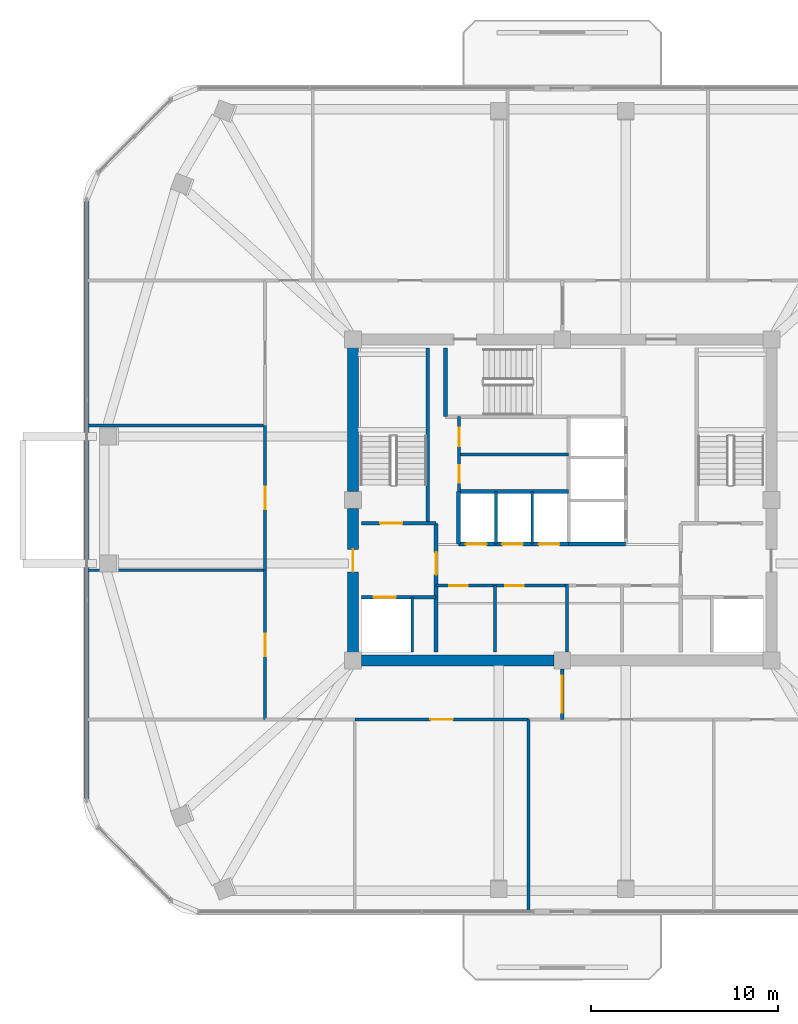
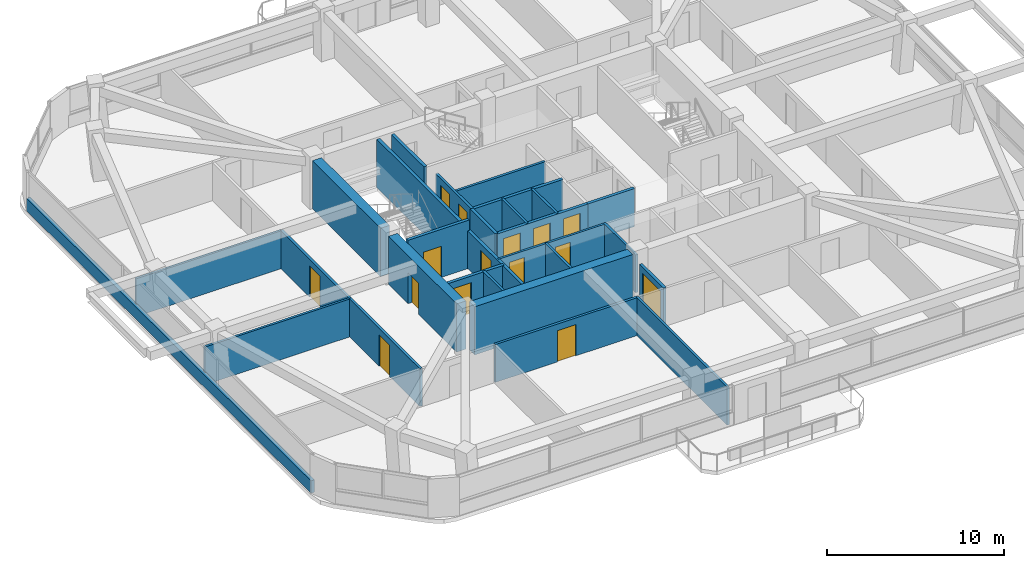
# One storey, part 8 of 12: 28 walls, 15 doors, 15 openings.
"""IFC4 building model written with IfcOpenShell, lengths in metres."""

from ifc_helpers import new_model, si_unit, derived_unit, direction, frame, frame_2d, origin, place, context, subcontext, project, spatial, rectangle, extrude, material, layer, layer_set, type_object, element, fill, save


model = new_model("IFC4")

# Units and contexts
model_context = context("Model", 3, precision=1e-05, world=origin(), true_north=direction((0.0, 1.0)))
body_context = subcontext(model_context, "Body", "Model", "MODEL_VIEW")
ifc_project = project(units=[si_unit("LENGTHUNIT", "METRE"), si_unit("AREAUNIT", "SQUARE_METRE"), si_unit("VOLUMEUNIT", "CUBIC_METRE"), si_unit("PLANEANGLEUNIT", "RADIAN"), si_unit("MASSUNIT", "GRAM", prefix="KILO"), derived_unit("THERMALTRANSMITTANCEUNIT", [(si_unit("POWERUNIT", "WATT"), 1), (si_unit("LENGTHUNIT", "METRE"), -2), (si_unit("THERMODYNAMICTEMPERATUREUNIT", "KELVIN"), -1)])], contexts=[model_context])

# Site, building, storey
site_placement = place(None, origin())
site = spatial("IfcSite", under=ifc_project, at=site_placement, CompositionType="ELEMENT")
building_placement = place(site_placement, origin())
building = spatial("IfcBuilding", under=site, at=building_placement, Name="Koralith Skygarden Medical Center", CompositionType="ELEMENT")
storey_placement = place(building_placement, frame((0.0, 0.0, 203.580078125)))
storey = spatial("IfcBuildingStorey", under=building, at=storey_placement, Name="L52", CompositionType="ELEMENT", Elevation=203.580078125)

# Wall, openings, doors
ifc_material_1 = material(Name="Gypsum Board Partition")
ifc_layer_1 = layer(ifc_material_1, 0.14990234375)
ifc_layer_set_1 = layer_set([ifc_layer_1], Name="Gypsum Board Partition")
wall_type_1 = type_object("IfcWallType", Name="Clinical Acoustic Partition 150", PredefinedType="PARTITIONING", material=ifc_layer_set_1)
wall_1_placement = place(storey_placement, frame((30.25, 21.320068359375, 0.0), z_axis=(0.0, 0.0, 1.0), x_axis=(1.0, 0.0, 0.0)))
wall_1 = element("IfcWall", 1, at=wall_1_placement, inside=storey, type_object=wall_type_1, Name="L52 Clinical Acoustic Partition 150 W-CORE-L52-FREED-LR-N", PredefinedType="PARTITIONING", context=body_context, shape_type="SweptSolid", body=[
    extrude(rectangle(XDim=7.0, YDim=0.14990234375, at=frame_2d((3.5, 0.0))), origin(), (0.0, 0.0, 1.0), 2.60986328125),
])
opening_1_placement = place(wall_1_placement, frame((0.699951171875, 0.0, 0.0)))
opening_1 = element("IfcOpeningElement", 2, at=opening_1_placement, cuts=wall_1, Name="Opening D-SUP", PredefinedType="OPENING", context=body_context, shape_type="SweptSolid", body=[
    extrude(rectangle(XDim=1.0, YDim=2.14990234375, at=frame_2d((0.5, 1.074951171875))), frame((0.0, 0.0849609375, 0.0), z_axis=(0.0, -1.0, 0.0), x_axis=(1.0, 0.0, 0.0)), (0.0, 0.0, 1.0), 0.169921875),
])
opening_2_placement = place(wall_1_placement, frame((3.699951171875, 0.0, 0.0)))
opening_2 = element("IfcOpeningElement", 3, at=opening_2_placement, cuts=wall_1, Name="Opening D-SUP", PredefinedType="OPENING", context=body_context, shape_type="SweptSolid", body=[
    extrude(rectangle(XDim=1.0, YDim=2.14990234375, at=frame_2d((0.5, 1.074951171875))), frame((0.0, 0.0849609375, 0.0), z_axis=(0.0, -1.0, 0.0), x_axis=(1.0, 0.0, 0.0)), (0.0, 0.0, 1.0), 0.169921875),
])
ifc_material_2 = material(Name="Aluminium 6063-T6", Category="aluminium")
door_type_1 = type_object("IfcDoorType", Name="Clinical Support Door D-SUP 1000", OperationType="NOTDEFINED", PredefinedType="DOOR", material=ifc_material_2)
door_1_placement = place(opening_1_placement, frame((1.0, 0.0, 0.0), z_axis=(0.0, 0.0, 1.0), x_axis=(-1.0, 0.0, 0.0)))
door_1 = element("IfcDoor", 4, at=door_1_placement, inside=storey, type_object=door_type_1, Name="L52 Medication Preparation Door", OperationType="SINGLE_SWING_LEFT", OverallHeight=2.14990234375, OverallWidth=1.0, PredefinedType="DOOR", context=body_context, shape_type="SweptSolid", body=[
    extrude(rectangle(XDim=1.0, YDim=2.14990234375, at=frame_2d((0.5, 1.074951171875))), frame((0.0, 0.02490234375, 0.0), z_axis=(0.0, -1.0, 0.0), x_axis=(1.0, 0.0, 0.0)), (0.0, 0.0, 1.0), 0.050048828125),
])
fill(opening_1, door_1)
door_2_placement = place(opening_2_placement, frame((1.0, 0.0, 0.0), z_axis=(0.0, 0.0, 1.0), x_axis=(-1.0, 0.0, 0.0)))
door_2 = element("IfcDoor", 5, at=door_2_placement, inside=storey, type_object=door_type_1, Name="L52 Telemetry Room Door", OperationType="SINGLE_SWING_RIGHT", OverallHeight=2.14990234375, OverallWidth=1.0, PredefinedType="DOOR", context=body_context, shape_type="SweptSolid", body=[
    extrude(rectangle(XDim=1.0, YDim=2.14990234375, at=frame_2d((0.5, 1.074951171875))), frame((0.0, 0.02490234375, 0.0), z_axis=(0.0, -1.0, 0.0), x_axis=(1.0, 0.0, 0.0)), (0.0, 0.0, 1.0), 0.050048828125),
])
fill(opening_2, door_2)

# Walls
wall_2_placement = place(storey_placement, frame((33.39990234375, 17.75, 0.0), z_axis=(0.0, 0.0, 1.0), x_axis=(0.0, 1.0, 0.0)))
element("IfcWall", 6, at=wall_2_placement, inside=storey, type_object=wall_type_1, Name="L52 Clinical Acoustic Partition 150 W-CORE-L52-FREED-LR-M", PredefinedType="PARTITIONING", context=body_context, shape_type="SweptSolid", body=[
    extrude(rectangle(XDim=3.570068359375, YDim=0.14990234375, at=frame_2d((1.78515625, 0.0))), origin(), (0.0, 0.0, 1.0), 2.60986328125),
])
wall_3_placement = place(storey_placement, frame((35.199951171875, 14.14990234375, 0.0), z_axis=(0.0, 0.0, 1.0), x_axis=(0.0, -1.0, 0.0)))
element("IfcWall", 7, at=wall_3_placement, inside=storey, type_object=wall_type_1, Name="L52 Clinical Acoustic Partition 150 W-PART-L52-S-02", PredefinedType="PARTITIONING", context=body_context, shape_type="SweptSolid", body=[
    extrude(rectangle(XDim=10.27197265625, YDim=0.14990234375, at=frame_2d((5.135986328125, 0.0))), origin(), (0.0, 0.0, 1.0), 2.60986328125),
])
for number, where, z_axis, x_axis, name in (
    (8, (21.10009765625, 22.139892578125, 0.0), (0.0, 0.0, 1.0), (-1.0, 0.0, 0.0), "L52 Clinical Acoustic Partition 150 W-PART-L52-W-01"),
    (9, (21.10009765625, 29.89501953125, 0.0), (0.0, 0.0, 1.0), (-1.0, 0.0, 0.0), "L52 Clinical Acoustic Partition 150 W-PART-L52-W-02"),
):
    element("IfcWall", number, at=place(storey_placement, frame(where, z_axis=z_axis, x_axis=x_axis)), inside=storey, type_object=wall_type_1, Name=name, PredefinedType="PARTITIONING", context=body_context, shape_type="SweptSolid", body=[
        extrude(rectangle(XDim=9.531005859375, YDim=0.14990234375, at=frame_2d((4.765625, 0.0))), origin(), (0.0, 0.0, 1.0), 2.60986328125),
    ])

# Wall, opening, door
ifc_layer_2 = layer(ifc_material_1, 0.1650390625)
ifc_layer_set_2 = layer_set([ifc_layer_2], Name="Gypsum Board Partition")
wall_type_2 = type_object("IfcWallType", Name="Clinical Corridor Partition 165", PredefinedType="PARTITIONING", material=ifc_layer_set_2)
wall_4_placement = place(storey_placement, frame((25.89794921875, 14.14990234375, 0.0), z_axis=(0.0, 0.0, 1.0), x_axis=(1.0, 0.0, 0.0)))
wall_4 = element("IfcWall", 10, at=wall_4_placement, inside=storey, type_object=wall_type_2, Name="L52 Clinical Corridor Partition 165 W-CORR-L52-S-02", PredefinedType="PARTITIONING", context=body_context, shape_type="SweptSolid", body=[
    extrude(rectangle(XDim=9.302001953125, YDim=0.1650390625, at=frame_2d((4.65087890625, 0.0))), origin(), (0.0, 0.0, 1.0), 2.60986328125),
])
opening_3_placement = place(wall_4_placement, frame((4.051025390625, 0.0, 0.0)))
opening_3 = element("IfcOpeningElement", 11, at=opening_3_placement, cuts=wall_4, Name="Opening D-CLN", PredefinedType="OPENING", context=body_context, shape_type="SweptSolid", body=[
    extrude(rectangle(XDim=1.199951171875, YDim=2.14990234375, at=frame_2d((0.60009765625, 1.074951171875))), frame((0.0, 0.092529296875, 0.0), z_axis=(0.0, -1.0, 0.0), x_axis=(1.0, 0.0, 0.0)), (0.0, 0.0, 1.0), 0.18505859375),
])
door_type_2 = type_object("IfcDoorType", Name="Clinical Corridor Door D-CLN 1200", OperationType="NOTDEFINED", PredefinedType="DOOR", material=ifc_material_2)
door_3_placement = place(opening_3_placement, frame((1.199951171875, 0.0, 0.0), z_axis=(0.0, 0.0, 1.0), x_axis=(-1.0, 0.0, 0.0)))
door_3 = element("IfcDoor", 12, at=door_3_placement, inside=storey, type_object=door_type_2, Name="L52 Pacemaker Interrogation Exam Room 07 Door", OperationType="SINGLE_SWING_RIGHT", OverallHeight=2.14990234375, OverallWidth=1.199951171875, PredefinedType="DOOR", context=body_context, shape_type="SweptSolid", body=[
    extrude(rectangle(XDim=1.199951171875, YDim=2.14990234375, at=frame_2d((0.60009765625, 1.074951171875))), frame((0.0, 0.02490234375, 0.0), z_axis=(0.0, -1.0, 0.0), x_axis=(1.0, 0.0, 0.0)), (0.0, 0.0, 1.0), 0.050048828125),
])
fill(opening_3, door_3)

wall_5_placement = place(storey_placement, frame((21.10009765625, 14.14990234375, 0.0), z_axis=(0.0, 0.0, 1.0), x_axis=(0.0, 1.0, 0.0)))
wall_5 = element("IfcWall", 13, at=wall_5_placement, inside=storey, type_object=wall_type_2, Name="L52 Clinical Corridor Partition 165 W-CORR-L52-W-01", PredefinedType="PARTITIONING", context=body_context, shape_type="SweptSolid", body=[
    extrude(rectangle(XDim=7.989990234375, YDim=0.1650390625, at=frame_2d((3.9951171875, 0.0))), origin(), (0.0, 0.0, 1.0), 2.60986328125),
])
opening_4_placement = place(wall_5_placement, frame((3.39501953125, 0.0, 0.0)))
opening_4 = element("IfcOpeningElement", 14, at=opening_4_placement, cuts=wall_5, Name="Opening D-CLN", PredefinedType="OPENING", context=body_context, shape_type="SweptSolid", body=[
    extrude(rectangle(XDim=1.199951171875, YDim=2.14990234375, at=frame_2d((0.60009765625, 1.074951171875))), frame((0.0, 0.092529296875, 0.0), z_axis=(0.0, -1.0, 0.0), x_axis=(1.0, 0.0, 0.0)), (0.0, 0.0, 1.0), 0.18505859375),
])
door_4_placement = place(opening_4_placement, frame((1.199951171875, 0.0, 0.0), z_axis=(0.0, 0.0, 1.0), x_axis=(-1.0, 0.0, 0.0)))
door_4 = element("IfcDoor", 15, at=door_4_placement, inside=storey, type_object=door_type_2, Name="L52 Cardiology Fellows Office 11 Door", OperationType="SINGLE_SWING_RIGHT", OverallHeight=2.14990234375, OverallWidth=1.199951171875, PredefinedType="DOOR", context=body_context, shape_type="SweptSolid", body=[
    extrude(rectangle(XDim=1.199951171875, YDim=2.14990234375, at=frame_2d((0.60009765625, 1.074951171875))), frame((0.0, 0.02490234375, 0.0), z_axis=(0.0, -1.0, 0.0), x_axis=(1.0, 0.0, 0.0)), (0.0, 0.0, 1.0), 0.050048828125),
])
fill(opening_4, door_4)

wall_6_placement = place(storey_placement, frame((21.10009765625, 22.139892578125, 0.0), z_axis=(0.0, 0.0, 1.0), x_axis=(0.0, 1.0, 0.0)))
wall_6 = element("IfcWall", 16, at=wall_6_placement, inside=storey, type_object=wall_type_2, Name="L52 Clinical Corridor Partition 165 W-CORR-L52-W-02", PredefinedType="PARTITIONING", context=body_context, shape_type="SweptSolid", body=[
    extrude(rectangle(XDim=7.755126953125, YDim=0.1650390625, at=frame_2d((3.87744140625, 0.0))), origin(), (0.0, 0.0, 1.0), 2.60986328125),
])
opening_5_placement = place(wall_6_placement, frame((3.277099609375, 0.0, 0.0)))
opening_5 = element("IfcOpeningElement", 17, at=opening_5_placement, cuts=wall_6, Name="Opening D-CLN", PredefinedType="OPENING", context=body_context, shape_type="SweptSolid", body=[
    extrude(rectangle(XDim=1.199951171875, YDim=2.14990234375, at=frame_2d((0.60009765625, 1.074951171875))), frame((0.0, 0.092529296875, 0.0), z_axis=(0.0, -1.0, 0.0), x_axis=(1.0, 0.0, 0.0)), (0.0, 0.0, 1.0), 0.18505859375),
])
door_5_placement = place(opening_5_placement, frame((1.199951171875, 0.0, 0.0), z_axis=(0.0, 0.0, 1.0), x_axis=(-1.0, 0.0, 0.0)))
door_5 = element("IfcDoor", 18, at=door_5_placement, inside=storey, type_object=door_type_2, Name="L52 Pacemaker Interrogation Exam Room 12 Door", OperationType="SINGLE_SWING_LEFT", OverallHeight=2.14990234375, OverallWidth=1.199951171875, PredefinedType="DOOR", context=body_context, shape_type="SweptSolid", body=[
    extrude(rectangle(XDim=1.199951171875, YDim=2.14990234375, at=frame_2d((0.60009765625, 1.074951171875))), frame((0.0, 0.02490234375, 0.0), z_axis=(0.0, -1.0, 0.0), x_axis=(1.0, 0.0, 0.0)), (0.0, 0.0, 1.0), 0.050048828125),
])
fill(opening_5, door_5)

ifc_layer_3 = layer(ifc_material_1, 0.199951171875)
ifc_layer_set_3 = layer_set([ifc_layer_3], Name="Gypsum Board Partition")
wall_type_3 = type_object("IfcWallType", Name="Fire Shaft Wall 200", PredefinedType="SOLIDWALL", material=ifc_layer_set_3)
wall_7_placement = place(storey_placement, frame((26.25, 20.699951171875, 0.0), z_axis=(0.0, 0.0, 1.0), x_axis=(1.0, 0.0, 0.0)))
wall_7 = element("IfcWall", 19, at=wall_7_placement, inside=storey, type_object=wall_type_3, Name="L52 Fire Shaft Wall 200 W-CORE-L52-FF1-N", PredefinedType="SOLIDWALL", context=body_context, shape_type="SweptSolid", body=[
    extrude(rectangle(XDim=4.0, YDim=0.199951171875, at=frame_2d((2.0, 0.0))), origin(), (0.0, 0.0, 1.0), 2.60986328125),
])
opening_6_placement = place(wall_7_placement, frame((0.64990234375, 0.0, 0.0)))
opening_6 = element("IfcOpeningElement", 20, at=opening_6_placement, cuts=wall_7, Name="Opening LD-FF", PredefinedType="OPENING", context=body_context, shape_type="SweptSolid", body=[
    extrude(rectangle(XDim=1.199951171875, YDim=2.14990234375, at=frame_2d((0.60009765625, 1.074951171875))), frame((0.0, 0.10986328125, 0.0), z_axis=(0.0, -1.0, 0.0), x_axis=(1.0, 0.0, 0.0)), (0.0, 0.0, 1.0), 0.219970703125),
])
ifc_material_3 = material(Name="Steel ASTM A500 Grade C", Category="steel")
door_type_3 = type_object("IfcDoorType", Name="Fire Lift Sliding Landing Door LD-FF 1200", OperationType="NOTDEFINED", PredefinedType="DOOR", material=ifc_material_3)
door_6_placement = place(opening_6_placement, origin())
door_6 = element("IfcDoor", 21, at=door_6_placement, inside=storey, type_object=door_type_3, Name="L52 Fire Service Elevator FF1 Landing Door", OperationType="SLIDING_TO_LEFT", OverallHeight=2.14990234375, OverallWidth=1.199951171875, PredefinedType="DOOR", context=body_context, shape_type="SweptSolid", body=[
    extrude(rectangle(XDim=1.199951171875, YDim=2.14990234375, at=frame_2d((0.60009765625, 1.074951171875))), frame((0.0, 0.02490234375, 0.0), z_axis=(0.0, -1.0, 0.0), x_axis=(1.0, 0.0, 0.0)), (0.0, 0.0, 1.0), 0.050048828125),
])
fill(opening_6, door_6)

wall_8_placement = place(storey_placement, frame((30.25, 17.75, 0.0), z_axis=(0.0, 0.0, 1.0), x_axis=(0.0, 1.0, 0.0)))
wall_8 = element("IfcWall", 22, at=wall_8_placement, inside=storey, type_object=wall_type_3, Name="L52 Fire Shaft Wall 200 W-CORE-L52-FSAEW-E", PredefinedType="SOLIDWALL", context=body_context, shape_type="SweptSolid", body=[
    extrude(rectangle(XDim=6.89990234375, YDim=0.199951171875, at=frame_2d((3.449951171875, 0.0))), origin(), (0.0, 0.0, 1.0), 2.60986328125),
])
opening_7_placement = place(wall_8_placement, frame((4.14990234375, 0.0, 0.0)))
opening_7 = element("IfcOpeningElement", 23, at=opening_7_placement, cuts=wall_8, Name="Opening D-ST60", PredefinedType="OPENING", context=body_context, shape_type="SweptSolid", body=[
    extrude(rectangle(XDim=1.199951171875, YDim=2.14990234375, at=frame_2d((0.60009765625, 1.074951171875))), frame((0.0, 0.10986328125, 0.0), z_axis=(0.0, -1.0, 0.0), x_axis=(1.0, 0.0, 0.0)), (0.0, 0.0, 1.0), 0.219970703125),
])
door_type_4 = type_object("IfcDoorType", Name="Smokeproof Stair Fire Door FD60S 1200", OperationType="NOTDEFINED", PredefinedType="DOOR", material=ifc_material_3)
door_7_placement = place(opening_7_placement, origin())
door_7 = element("IfcDoor", 24, at=door_7_placement, inside=storey, type_object=door_type_4, Name="L52 West Firefighting Lobby Inner Fire Door", OperationType="SINGLE_SWING_LEFT", OverallHeight=2.14990234375, OverallWidth=1.199951171875, PredefinedType="DOOR", context=body_context, shape_type="SweptSolid", body=[
    extrude(rectangle(XDim=1.199951171875, YDim=2.14990234375, at=frame_2d((0.60009765625, 1.074951171875))), frame((0.0, 0.02490234375, 0.0), z_axis=(0.0, -1.0, 0.0), x_axis=(1.0, 0.0, 0.0)), (0.0, 0.0, 1.0), 0.050048828125),
])
fill(opening_7, door_7)

# Wall, openings, doors
wall_9_placement = place(storey_placement, frame((31.449951171875, 23.5400390625, 0.0), z_axis=(0.0, 0.0, 1.0), x_axis=(1.0, 0.0, 0.0)))
wall_9 = element("IfcWall", 25, at=wall_9_placement, inside=storey, type_object=wall_type_3, Name="L52 Fire Shaft Wall 200 W-CORE-L52-PH-S", PredefinedType="SOLIDWALL", context=body_context, shape_type="SweptSolid", body=[
    extrude(rectangle(XDim=5.900146484375, YDim=0.199951171875, at=frame_2d((2.9501953125, 0.0))), origin(), (0.0, 0.0, 1.0), 2.60986328125),
])
opening_8_placement = place(wall_9_placement, frame((0.39990234375, 0.0, 0.0)))
opening_8 = element("IfcOpeningElement", 26, at=opening_8_placement, cuts=wall_9, Name="Opening LD-P", PredefinedType="OPENING", context=body_context, shape_type="SweptSolid", body=[
    extrude(rectangle(XDim=1.10009765625, YDim=2.14990234375, at=frame_2d((0.550048828125, 1.074951171875))), frame((0.0, 0.10986328125, 0.0), z_axis=(0.0, -1.0, 0.0), x_axis=(1.0, 0.0, 0.0)), (0.0, 0.0, 1.0), 0.219970703125),
])
opening_9_placement = place(wall_9_placement, frame((2.35009765625, 0.0, 0.0)))
opening_9 = element("IfcOpeningElement", 27, at=opening_9_placement, cuts=wall_9, Name="Opening LD-P", PredefinedType="OPENING", context=body_context, shape_type="SweptSolid", body=[
    extrude(rectangle(XDim=1.10009765625, YDim=2.14990234375, at=frame_2d((0.550048828125, 1.074951171875))), frame((0.0, 0.10986328125, 0.0), z_axis=(0.0, -1.0, 0.0), x_axis=(1.0, 0.0, 0.0)), (0.0, 0.0, 1.0), 0.219970703125),
])
opening_10_placement = place(wall_9_placement, frame((4.300048828125, 0.0, 0.0)))
opening_10 = element("IfcOpeningElement", 28, at=opening_10_placement, cuts=wall_9, Name="Opening LD-P", PredefinedType="OPENING", context=body_context, shape_type="SweptSolid", body=[
    extrude(rectangle(XDim=1.10009765625, YDim=2.14990234375, at=frame_2d((0.550048828125, 1.074951171875))), frame((0.0, 0.10986328125, 0.0), z_axis=(0.0, -1.0, 0.0), x_axis=(1.0, 0.0, 0.0)), (0.0, 0.0, 1.0), 0.219970703125),
])
door_type_5 = type_object("IfcDoorType", Name="Passenger Lift Sliding Landing Door LD-P 1100", OperationType="NOTDEFINED", PredefinedType="DOOR", material=ifc_material_3)
door_8_placement = place(opening_8_placement, origin())
door_8 = element("IfcDoor", 29, at=door_8_placement, inside=storey, type_object=door_type_5, Name="L52 Passenger Elevator PH1 Landing Door", OperationType="SLIDING_TO_RIGHT", OverallHeight=2.14990234375, OverallWidth=1.10009765625, PredefinedType="DOOR", context=body_context, shape_type="SweptSolid", body=[
    extrude(rectangle(XDim=1.10009765625, YDim=2.14990234375, at=frame_2d((0.550048828125, 1.074951171875))), frame((0.0, 0.02490234375, 0.0), z_axis=(0.0, -1.0, 0.0), x_axis=(1.0, 0.0, 0.0)), (0.0, 0.0, 1.0), 0.050048828125),
])
fill(opening_8, door_8)
door_9_placement = place(opening_9_placement, origin())
door_9 = element("IfcDoor", 30, at=door_9_placement, inside=storey, type_object=door_type_5, Name="L52 Passenger Elevator PH2 Landing Door", OperationType="SLIDING_TO_RIGHT", OverallHeight=2.14990234375, OverallWidth=1.10009765625, PredefinedType="DOOR", context=body_context, shape_type="SweptSolid", body=[
    extrude(rectangle(XDim=1.10009765625, YDim=2.14990234375, at=frame_2d((0.550048828125, 1.074951171875))), frame((0.0, 0.02490234375, 0.0), z_axis=(0.0, -1.0, 0.0), x_axis=(1.0, 0.0, 0.0)), (0.0, 0.0, 1.0), 0.050048828125),
])
fill(opening_9, door_9)
door_10_placement = place(opening_10_placement, origin())
door_10 = element("IfcDoor", 31, at=door_10_placement, inside=storey, type_object=door_type_5, Name="L52 Passenger Elevator PH3 Landing Door", OperationType="SLIDING_TO_RIGHT", OverallHeight=2.14990234375, OverallWidth=1.10009765625, PredefinedType="DOOR", context=body_context, shape_type="SweptSolid", body=[
    extrude(rectangle(XDim=1.10009765625, YDim=2.14990234375, at=frame_2d((0.550048828125, 1.074951171875))), frame((0.0, 0.02490234375, 0.0), z_axis=(0.0, -1.0, 0.0), x_axis=(1.0, 0.0, 0.0)), (0.0, 0.0, 1.0), 0.050048828125),
])
fill(opening_10, door_10)

# Walls
wall_10_placement = place(storey_placement, frame((31.449951171875, 26.35009765625, 0.0), z_axis=(0.0, 0.0, 1.0), x_axis=(1.0, 0.0, 0.0)))
element("IfcWall", 32, at=wall_10_placement, inside=storey, type_object=wall_type_3, Name="L52 Fire Shaft Wall 200 W-CORE-L52-PH-N", PredefinedType="SOLIDWALL", context=body_context, shape_type="SweptSolid", body=[
    extrude(rectangle(XDim=5.900146484375, YDim=0.199951171875, at=frame_2d((2.9501953125, 0.0))), origin(), (0.0, 0.0, 1.0), 2.60986328125),
])
wall_11_placement = place(storey_placement, frame((31.449951171875, 23.5400390625, 0.0), z_axis=(0.0, 0.0, 1.0), x_axis=(0.0, 1.0, 0.0)))
element("IfcWall", 33, at=wall_11_placement, inside=storey, type_object=wall_type_3, Name="L52 Fire Shaft Wall 200 W-CORE-L52-PH-W", PredefinedType="SOLIDWALL", context=body_context, shape_type="SweptSolid", body=[
    extrude(rectangle(XDim=2.81005859375, YDim=0.199951171875, at=frame_2d((1.405029296875, 0.0))), origin(), (0.0, 0.0, 1.0), 2.60986328125),
])
wall_12_placement = place(storey_placement, frame((37.35009765625, 23.5400390625, 0.0), z_axis=(0.0, 0.0, 1.0), x_axis=(1.0, 0.0, 0.0)))
element("IfcWall", 34, at=wall_12_placement, inside=storey, type_object=wall_type_3, Name="L52 Fire Shaft Wall 200 W-CORE-L52-SV-S", PredefinedType="SOLIDWALL", context=body_context, shape_type="SweptSolid", body=[
    extrude(rectangle(XDim=3.0498046875, YDim=0.199951171875, at=frame_2d((1.52490234375, 0.0))), origin(), (0.0, 0.0, 1.0), 2.60986328125),
])

# Wall, opening, door
ifc_layer_4 = layer(ifc_material_1, 0.179931640625)
ifc_layer_set_4 = layer_set([ifc_layer_4], Name="Gypsum Board Partition")
wall_type_4 = type_object("IfcWallType", Name="Group I-2 Smoke Barrier Wall 180", PredefinedType="PARTITIONING", material=ifc_layer_set_4)
wall_13_placement = place(storey_placement, frame((37.0, 14.14990234375, 0.0), z_axis=(0.0, 0.0, 1.0), x_axis=(0.0, 1.0, 0.0)))
wall_13 = element("IfcWall", 35, at=wall_13_placement, inside=storey, type_object=wall_type_4, Name="L52 Group I-2 Smoke Barrier Wall 180 W-SMK-L52-S", PredefinedType="PARTITIONING", context=body_context, shape_type="SweptSolid", body=[
    extrude(rectangle(XDim=2.7001953125, YDim=0.179931640625, at=frame_2d((1.35009765625, 0.0))), origin(), (0.0, 0.0, 1.0), 2.60986328125),
])
opening_11_placement = place(wall_13_placement, frame((0.35009765625, 0.0, 0.0)))
opening_11 = element("IfcOpeningElement", 36, at=opening_11_placement, cuts=wall_13, Name="Opening D-SMK", PredefinedType="OPENING", context=body_context, shape_type="SweptSolid", body=[
    extrude(rectangle(XDim=2.0, YDim=2.199951171875, at=frame_2d((1.0, 1.10009765625))), frame((0.0, 0.099853515625, 0.0), z_axis=(0.0, -1.0, 0.0), x_axis=(1.0, 0.0, 0.0)), (0.0, 0.0, 1.0), 0.199951171875),
])
door_type_6 = type_object("IfcDoorType", Name="Cross-Corridor Double Smoke Door FD60S 2000", OperationType="NOTDEFINED", PredefinedType="DOOR", material=ifc_material_3)
door_11_placement = place(opening_11_placement, frame((2.0, 0.0, 0.0), z_axis=(0.0, 0.0, 1.0), x_axis=(-1.0, 0.0, 0.0)))
door_11 = element("IfcDoor", 37, at=door_11_placement, inside=storey, type_object=door_type_6, Name="L52 S Smoke Compartment Cross-Corridor Door", OperationType="DOUBLE_DOOR_SINGLE_SWING", OverallHeight=2.199951171875, OverallWidth=2.0, PredefinedType="DOOR", context=body_context, shape_type="SweptSolid", body=[
    extrude(rectangle(XDim=2.0, YDim=2.199951171875, at=frame_2d((1.0, 1.10009765625))), frame((0.0, 0.02490234375, 0.0), z_axis=(0.0, -1.0, 0.0), x_axis=(1.0, 0.0, 0.0)), (0.0, 0.0, 1.0), 0.050048828125),
])
fill(opening_11, door_11)

# Wall
ifc_material_4 = material(Name="Warm Oolitic Limestone Cladding", Category="masonry")
ifc_layer_5 = layer(ifc_material_4, 0.239990234375)
ifc_layer_set_5 = layer_set([ifc_layer_5], Name="Warm Oolitic Limestone Cladding")
wall_type_5 = type_object("IfcWallType", Name="Limestone Spandrel Sill Backup Wall 240", PredefinedType="SOLIDWALL", material=ifc_layer_set_5)
wall_14_placement = place(storey_placement, frame((11.549072265625, 41.966064453125, 0.0), z_axis=(0.0, 0.0, 1.0), x_axis=(0.0, -1.0, 0.0)))
element("IfcWall", 38, at=wall_14_placement, inside=storey, type_object=wall_type_5, Name="L52 Sill Spandrel W", PredefinedType="SOLIDWALL", context=body_context, shape_type="SweptSolid", body=[
    extrude(rectangle(XDim=32.132080078125, YDim=0.239990234375, at=frame_2d((16.06591796875, 0.0))), origin(), (0.0, 0.0, 1.0), 0.849853515625),
])

# Wall, openings, doors
ifc_layer_6 = layer(ifc_material_1, 0.1650390625)
ifc_layer_set_6 = layer_set([ifc_layer_6], Name="Gypsum Board Partition")
wall_type_6 = type_object("IfcWallType", Name="Plumbing Wet Wall 165", PredefinedType="PLUMBINGWALL", material=ifc_layer_set_6)
wall_15_placement = place(storey_placement, frame((31.47998046875, 26.320068359375, 0.0), z_axis=(0.0, 0.0, 1.0), x_axis=(0.0, 1.0, 0.0)))
wall_15 = element("IfcWall", 39, at=wall_15_placement, inside=storey, type_object=wall_type_6, Name="L52 Plumbing Wet Wall 165 W-CORE-L52-FLEX-W", PredefinedType="PLUMBINGWALL", context=body_context, shape_type="SweptSolid", body=[
    extrude(rectangle(XDim=4.0400390625, YDim=0.1650390625, at=frame_2d((2.02001953125, 0.0))), origin(), (0.0, 0.0, 1.0), 2.60986328125),
])
opening_12_placement = place(wall_15_placement, frame((0.5, 0.0, 0.0)))
opening_12 = element("IfcOpeningElement", 40, at=opening_12_placement, cuts=wall_15, Name="Opening D-WC", PredefinedType="OPENING", context=body_context, shape_type="SweptSolid", body=[
    extrude(rectangle(XDim=0.949951171875, YDim=2.10009765625, at=frame_2d((0.47509765625, 1.050048828125))), frame((0.0, 0.092529296875, 0.0), z_axis=(0.0, -1.0, 0.0), x_axis=(1.0, 0.0, 0.0)), (0.0, 0.0, 1.0), 0.18505859375),
])
opening_13_placement = place(wall_15_placement, frame((2.449951171875, 0.0, 0.0)))
opening_13 = element("IfcOpeningElement", 41, at=opening_13_placement, cuts=wall_15, Name="Opening D-SUP", PredefinedType="OPENING", context=body_context, shape_type="SweptSolid", body=[
    extrude(rectangle(XDim=1.0, YDim=2.14990234375, at=frame_2d((0.5, 1.074951171875))), frame((0.0, 0.092529296875, 0.0), z_axis=(0.0, -1.0, 0.0), x_axis=(1.0, 0.0, 0.0)), (0.0, 0.0, 1.0), 0.18505859375),
])
door_type_7 = type_object("IfcDoorType", Name="Accessible Toilet Door D-WC 950", OperationType="NOTDEFINED", PredefinedType="DOOR", material=ifc_material_2)
door_12_placement = place(opening_12_placement, frame((0.949951171875, 0.0, 0.0), z_axis=(0.0, 0.0, 1.0), x_axis=(-1.0, 0.0, 0.0)))
door_12 = element("IfcDoor", 42, at=door_12_placement, inside=storey, type_object=door_type_7, Name="L52 Core Accessible WC Door", OperationType="SINGLE_SWING_LEFT", OverallHeight=2.10009765625, OverallWidth=0.949951171875, PredefinedType="DOOR", context=body_context, shape_type="SweptSolid", body=[
    extrude(rectangle(XDim=0.949951171875, YDim=2.10009765625, at=frame_2d((0.47509765625, 1.050048828125))), frame((0.0, 0.02490234375, 0.0), z_axis=(0.0, -1.0, 0.0), x_axis=(1.0, 0.0, 0.0)), (0.0, 0.0, 1.0), 0.050048828125),
])
fill(opening_12, door_12)
door_13_placement = place(opening_13_placement, frame((1.0, 0.0, 0.0), z_axis=(0.0, 0.0, 1.0), x_axis=(-1.0, 0.0, 0.0)))
door_13 = element("IfcDoor", 43, at=door_13_placement, inside=storey, type_object=door_type_1, Name="L52 Core Clean Utility Door", OperationType="SINGLE_SWING_RIGHT", OverallHeight=2.14990234375, OverallWidth=1.0, PredefinedType="DOOR", context=body_context, shape_type="SweptSolid", body=[
    extrude(rectangle(XDim=1.0, YDim=2.14990234375, at=frame_2d((0.5, 1.074951171875))), frame((0.0, 0.02490234375, 0.0), z_axis=(0.0, -1.0, 0.0), x_axis=(1.0, 0.0, 0.0)), (0.0, 0.0, 1.0), 0.050048828125),
])
fill(opening_13, door_13)

# Walls
wall_16_placement = place(storey_placement, frame((31.47998046875, 28.340087890625, 0.0), z_axis=(0.0, 0.0, 1.0), x_axis=(1.0, 0.0, 0.0)))
element("IfcWall", 44, at=wall_16_placement, inside=storey, type_object=wall_type_6, Name="L52 Plumbing Wet Wall 165 W-CORE-L52-FLEX-H0", PredefinedType="PLUMBINGWALL", context=body_context, shape_type="SweptSolid", body=[
    extrude(rectangle(XDim=5.8701171875, YDim=0.1650390625, at=frame_2d((2.93505859375, 0.0))), origin(), (0.0, 0.0, 1.0), 2.60986328125),
])
ifc_layer_7 = layer(ifc_material_1, 0.14990234375)
ifc_layer_set_7 = layer_set([ifc_layer_7], Name="Gypsum Board Partition")
wall_type_7 = type_object("IfcWallType", Name="Shaft Partition Wall 150", PredefinedType="PARTITIONING", material=ifc_layer_set_7)
wall_17_placement = place(storey_placement, frame((28.969970703125, 17.75, 0.0), z_axis=(0.0, 0.0, 1.0), x_axis=(0.0, 1.0, 0.0)))
element("IfcWall", 45, at=wall_17_placement, inside=storey, type_object=wall_type_7, Name="L52 Shaft Partition Wall 150 W-CORE-L52-RSRW-DIV", PredefinedType="PARTITIONING", context=body_context, shape_type="SweptSolid", body=[
    extrude(rectangle(XDim=2.949951171875, YDim=0.14990234375, at=frame_2d((1.47509765625, 0.0))), origin(), (0.0, 0.0, 1.0), 2.60986328125),
])
wall_18_placement = place(storey_placement, frame((37.25, 17.75, 0.0), z_axis=(0.0, 0.0, 1.0), x_axis=(0.0, 1.0, 0.0)))
element("IfcWall", 46, at=wall_18_placement, inside=storey, type_object=wall_type_7, Name="L52 Shaft Partition Wall 150 W-CORE-L52-PL-PM-SEP", PredefinedType="PARTITIONING", context=body_context, shape_type="SweptSolid", body=[
    extrude(rectangle(XDim=3.64990234375, YDim=0.14990234375, at=frame_2d((1.824951171875, 0.0))), origin(), (0.0, 0.0, 1.0), 2.60986328125),
])
for number, where, z_axis, x_axis, name in (
    (47, (33.449951171875, 23.5400390625, 0.0), (0.0, 0.0, 1.0), (0.0, 1.0, 0.0), "L52 Shaft Partition Wall 150 W-CORE-L52-PH-D1"),
    (48, (35.39990234375, 23.5400390625, 0.0), (0.0, 0.0, 1.0), (0.0, 1.0, 0.0), "L52 Shaft Partition Wall 150 W-CORE-L52-PH-D2"),
):
    element("IfcWall", number, at=place(storey_placement, frame(where, z_axis=z_axis, x_axis=x_axis)), inside=storey, type_object=wall_type_7, Name=name, PredefinedType="PARTITIONING", context=body_context, shape_type="SweptSolid", body=[
        extrude(rectangle(XDim=2.81005859375, YDim=0.14990234375, at=frame_2d((1.405029296875, 0.0))), origin(), (0.0, 0.0, 1.0), 2.60986328125),
    ])
ifc_material_5 = material(Name="Concrete C45/55", Category="concrete")
ifc_layer_8 = layer(ifc_material_5, 0.199951171875)
ifc_layer_set_8 = layer_set([ifc_layer_8], Name="Concrete C45/55")
wall_type_8 = type_object("IfcWallType", Name="Structural Stair Shaft Wall 200", PredefinedType="SHEAR", material=ifc_layer_set_8)
wall_19_placement = place(storey_placement, frame((29.800048828125, 24.64990234375, 0.0), z_axis=(0.0, 0.0, 1.0), x_axis=(0.0, 1.0, 0.0)))
element("IfcWall", 49, at=wall_19_placement, inside=storey, type_object=wall_type_8, Name="L52 Structural Stair Shaft Wall 200 W-CORE-L52-ST1-E", PredefinedType="SHEAR", context=body_context, shape_type="SweptSolid", body=[
    extrude(rectangle(XDim=9.400146484375, YDim=0.199951171875, at=frame_2d((4.7001953125, 0.0))), origin(), (0.0, 0.0, 1.0), 3.31982421875),
])

# Wall, opening, door
wall_20_placement = place(storey_placement, frame((26.25, 24.64990234375, 0.0), z_axis=(0.0, 0.0, 1.0), x_axis=(1.0, 0.0, 0.0)))
wall_20 = element("IfcWall", 50, at=wall_20_placement, inside=storey, type_object=wall_type_8, Name="L52 Structural Stair Shaft Wall 200 W-CORE-L52-ST1-S", PredefinedType="SHEAR", context=body_context, shape_type="SweptSolid", body=[
    extrude(rectangle(XDim=4.0, YDim=0.199951171875, at=frame_2d((2.0, 0.0))), origin(), (0.0, 0.0, 1.0), 3.31982421875),
])
opening_14_placement = place(wall_20_placement, frame((1.0, 0.0, 0.0)))
opening_14 = element("IfcOpeningElement", 51, at=opening_14_placement, cuts=wall_20, Name="Opening D-ST60", PredefinedType="OPENING", context=body_context, shape_type="SweptSolid", body=[
    extrude(rectangle(XDim=1.199951171875, YDim=2.14990234375, at=frame_2d((0.60009765625, 1.074951171875))), frame((0.0, 0.10986328125, 0.0), z_axis=(0.0, -1.0, 0.0), x_axis=(1.0, 0.0, 0.0)), (0.0, 0.0, 1.0), 0.219970703125),
])
door_14_placement = place(opening_14_placement, origin())
door_14 = element("IfcDoor", 52, at=door_14_placement, inside=storey, type_object=door_type_4, Name="L52 Exit Stair ST1 Fire Door", OperationType="SINGLE_SWING_LEFT", OverallHeight=2.14990234375, OverallWidth=1.199951171875, PredefinedType="DOOR", context=body_context, shape_type="SweptSolid", body=[
    extrude(rectangle(XDim=1.199951171875, YDim=2.14990234375, at=frame_2d((0.60009765625, 1.074951171875))), frame((0.0, 0.02490234375, 0.0), z_axis=(0.0, -1.0, 0.0), x_axis=(1.0, 0.0, 0.0)), (0.0, 0.0, 1.0), 0.050048828125),
])
fill(opening_14, door_14)

# Walls
wall_21_placement = place(storey_placement, frame((30.75, 30.360107421875, 0.0), z_axis=(0.0, 0.0, 1.0), x_axis=(0.0, 1.0, 0.0)))
element("IfcWall", 53, at=wall_21_placement, inside=storey, type_object=wall_type_8, Name="L52 Structural Stair Shaft Wall 200 W-CORE-L52-ST3-W", PredefinedType="SHEAR", context=body_context, shape_type="SweptSolid", body=[
    extrude(rectangle(XDim=3.68994140625, YDim=0.199951171875, at=frame_2d((1.844970703125, 0.0))), origin(), (0.0, 0.0, 1.0), 3.31982421875),
])
ifc_material_6 = material(Name="Concrete C55/67", Category="concrete")
ifc_layer_9 = layer(ifc_material_6, 0.60009765625)
ifc_layer_set_9 = layer_set([ifc_layer_9], Name="Concrete C55/67")
wall_type_9 = type_object("IfcWallType", Name="Upper Core Shear Wall 600", PredefinedType="SHEAR", material=ifc_layer_set_9)
wall_22_placement = place(storey_placement, frame((26.2451171875, 17.300048828125, 0.0), z_axis=(0.0, 0.0, 1.0), x_axis=(1.0, 0.0, 0.0)))
element("IfcWall", 54, at=wall_22_placement, inside=storey, type_object=wall_type_9, Name="L52 Core Shear Wall Segment 1", PredefinedType="SHEAR", context=body_context, shape_type="SweptSolid", body=[
    extrude(rectangle(XDim=10.309814453125, YDim=0.60009765625, at=frame_2d((5.15478515625, 0.0))), origin(), (0.0, 0.0, 1.0), 3.31982421875),
])
wall_23_placement = place(storey_placement, frame((25.800048828125, 34.054931640625, 0.0), z_axis=(0.0, 0.0, 1.0), x_axis=(0.0, -1.0, 0.0)))
element("IfcWall", 55, at=wall_23_placement, inside=storey, type_object=wall_type_9, Name="L52 Core Shear Wall Segment 7", PredefinedType="SHEAR", context=body_context, shape_type="SweptSolid", body=[
    extrude(rectangle(XDim=7.7099609375, YDim=0.60009765625, at=frame_2d((3.85498046875, 0.0))), origin(), (0.0, 0.0, 1.0), 3.31982421875),
])

# Wall, opening, door
wall_24_placement = place(storey_placement, frame((25.800048828125, 25.455078125, 0.0), z_axis=(0.0, 0.0, 1.0), x_axis=(0.0, -1.0, 0.0)))
wall_24 = element("IfcWall", 56, at=wall_24_placement, inside=storey, type_object=wall_type_9, Name="L52 Core Shear Wall Segment 8", PredefinedType="SHEAR", context=body_context, shape_type="SweptSolid", body=[
    extrude(rectangle(XDim=7.7099609375, YDim=0.60009765625, at=frame_2d((3.85498046875, 0.0))), origin(), (0.0, 0.0, 1.0), 3.31982421875),
])
opening_15_placement = place(wall_24_placement, frame((2.205078125, 0.0, 0.0)))
opening_15 = element("IfcOpeningElement", 57, at=opening_15_placement, cuts=wall_24, Name="Opening D-ST60", PredefinedType="OPENING", context=body_context, shape_type="SweptSolid", body=[
    extrude(rectangle(XDim=1.199951171875, YDim=2.14990234375, at=frame_2d((0.60009765625, 1.074951171875))), frame((0.0, 0.31005859375, 0.0), z_axis=(0.0, -1.0, 0.0), x_axis=(1.0, 0.0, 0.0)), (0.0, 0.0, 1.0), 0.6201171875),
])
door_15_placement = place(opening_15_placement, frame((1.199951171875, 0.0, 0.0), z_axis=(0.0, 0.0, 1.0), x_axis=(-1.0, 0.0, 0.0)))
door_15 = element("IfcDoor", 58, at=door_15_placement, inside=storey, type_object=door_type_4, Name="L52 West Corridor to Firefighting Lobby Door", OperationType="SINGLE_SWING_LEFT", OverallHeight=2.14990234375, OverallWidth=1.199951171875, PredefinedType="DOOR", context=body_context, shape_type="SweptSolid", body=[
    extrude(rectangle(XDim=1.199951171875, YDim=2.14990234375, at=frame_2d((0.60009765625, 1.074951171875))), frame((0.0, 0.02490234375, 0.0), z_axis=(0.0, -1.0, 0.0), x_axis=(1.0, 0.0, 0.0)), (0.0, 0.0, 1.0), 0.050048828125),
])
fill(opening_15, door_15)

save(model, "model.ifc")
